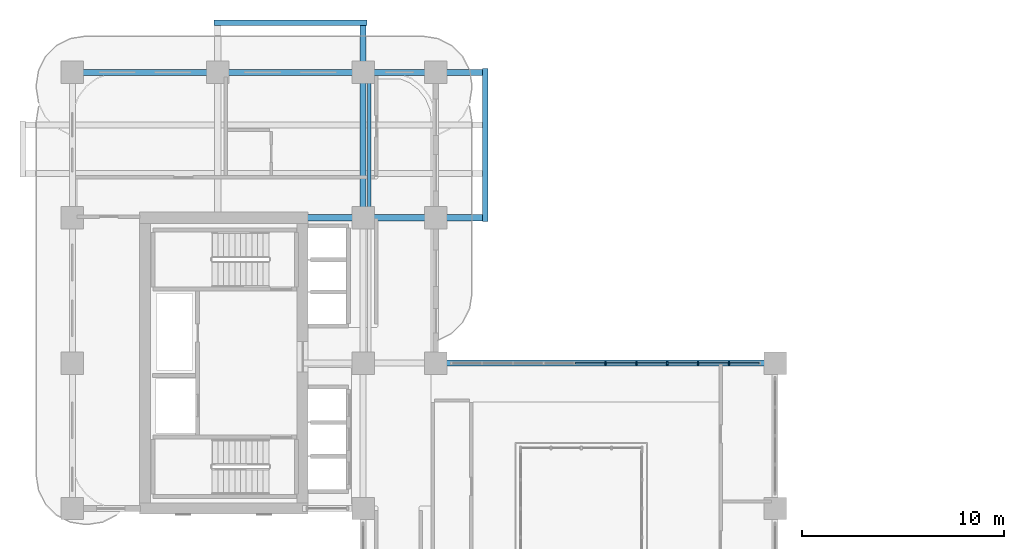
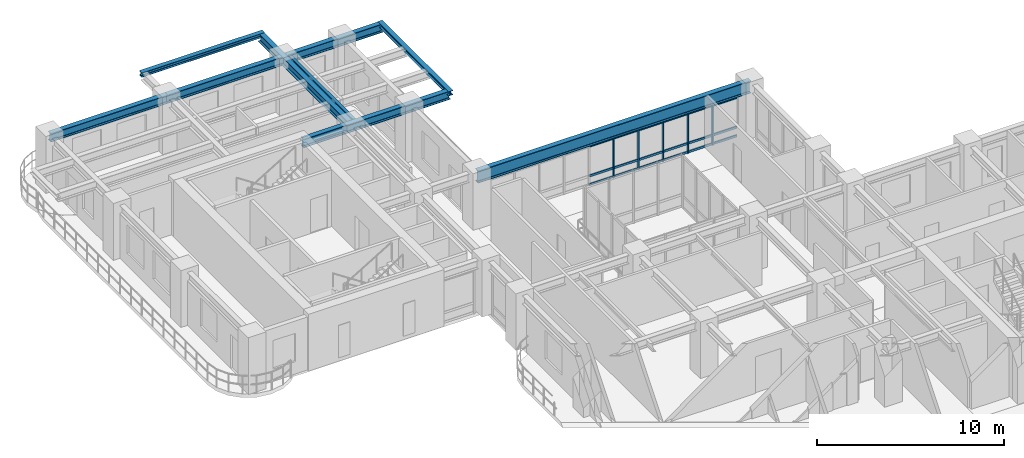
# One storey, part 7 of 22: 23 members, 8 beams, 1 element without a shape of its own.
"""IFC4 building model written with IfcOpenShell, lengths in metres."""

from ifc_helpers import new_model, si_unit, derived_unit, direction, frame, origin, origin_2d, place, context, subcontext, project, spatial, rectangle, i_section, extrude, source, transform, mapped, material, layer, layer_set, material_profile, profile_set, type_object, type_shapes, element, aggregate, save


model = new_model("IFC4")

# Units and contexts
model_context = context("Model", 3, precision=1e-05, world=origin(), true_north=direction((0.0, 1.0)))
body_context = subcontext(model_context, "Body", "Model", "MODEL_VIEW")
ifc_project = project(units=[si_unit("LENGTHUNIT", "METRE"), si_unit("AREAUNIT", "SQUARE_METRE"), si_unit("VOLUMEUNIT", "CUBIC_METRE"), si_unit("PLANEANGLEUNIT", "RADIAN"), si_unit("MASSUNIT", "GRAM", prefix="KILO"), si_unit("THERMODYNAMICTEMPERATUREUNIT", "KELVIN"), si_unit("POWERUNIT", "WATT"), derived_unit("THERMALTRANSMITTANCEUNIT", [(si_unit("POWERUNIT", "WATT"), 1), (si_unit("AREAUNIT", "SQUARE_METRE"), -1), (si_unit("THERMODYNAMICTEMPERATUREUNIT", "KELVIN"), -1)])], contexts=[model_context])

# Site, building, storey
site_placement = place(None, origin())
site = spatial("IfcSite", under=ifc_project, at=site_placement, CompositionType="ELEMENT")
building_placement = place(site_placement, origin())
building = spatial("IfcBuilding", under=site, at=building_placement, Name="Zahravan Archway Hotel and Residences", CompositionType="ELEMENT")
storey_placement = place(building_placement, frame((0.0, 0.0, 73.10009765625)))
storey = spatial("IfcBuildingStorey", under=building, at=storey_placement, Name="L17", CompositionType="ELEMENT", Elevation=73.10009765625)

# Beams
ifc_material_1 = material(Name="Structural Steel S355JR", Category="steel")
ifc_material_profile_1 = material_profile(ifc_material_1, i_section(OverallWidth=0.280029296875, OverallDepth=0.280029296875, WebThickness=0.010498046875, FlangeThickness=0.01806640625, FilletRadius=0.02392578125, at=origin_2d()), Name="HEB 280", Category="steel")
ifc_profile_set_1 = profile_set([ifc_material_profile_1], Name="Structural Steel S355JR")
beam_type_1 = type_object("IfcBeamType", Name="BM-SPN-HEB280", PredefinedType="SPANDREL", material=ifc_profile_set_1)
shared_shape_1 = source(origin(), body_context, "Body", "SweptSolid", [
    extrude(i_section(OverallWidth=0.280029296875, OverallDepth=0.280029296875, WebThickness=0.010498046875, FlangeThickness=0.01806640625, FilletRadius=0.02392578125, at=origin_2d()), origin(), (0.0, 0.0, 1.0), 7.56005859375),
])
type_shapes(beam_type_1, [shared_shape_1])
for number, where, z_axis, x_axis, name in (
    (1, (20.449951171875, 39.419921875, 3.309814453125), (0.0, 1.0, 0.0), (-1.0, 0.0, 0.0), "L18 EB Balcony Edge Spandrel"),
    (2, (7.02001953125, 49.25, 3.309814453125), (1.0, 0.0, 0.0), (0.0, 1.0, 0.0), "L18 NB Balcony Edge Spandrel"),
):
    element("IfcBeam", number, at=place(storey_placement, frame(where, z_axis=z_axis, x_axis=x_axis)), inside=storey, type_object=beam_type_1, Name=name, PredefinedType="SPANDREL", context=body_context, shape_type="MappedRepresentation", body=[
        mapped(shared_shape_1, transform((0.0, 0.0, 0.0), scale=1.0)),
    ])
ifc_material_profile_2 = material_profile(ifc_material_1, i_section(OverallWidth=0.300048828125, OverallDepth=0.550048828125, WebThickness=0.014892578125, FlangeThickness=0.029052734375, FilletRadius=0.027099609375, at=origin_2d()), Name="HEB 550", Category="steel")
ifc_profile_set_2 = profile_set([ifc_material_profile_2], Name="Structural Steel S355JR")
beam_type_2 = type_object("IfcBeamType", Name="BM-PRI-HEB550", PredefinedType="BEAM", material=ifc_profile_set_2)
shared_shape_2 = source(origin(), body_context, "Body", "SweptSolid", [
    extrude(i_section(OverallWidth=0.300048828125, OverallDepth=0.550048828125, WebThickness=0.014892578125, FlangeThickness=0.029052734375, FilletRadius=0.027099609375, at=origin_2d()), origin(), (0.0, 0.0, 1.0), 7.199951171875),
])
beam_1_placement = place(storey_placement, frame((0.0, 46.800048828125, 3.1748046875), z_axis=(1.0, 0.0, 0.0), x_axis=(0.0, 1.0, 0.0)))
element("IfcBeam", 3, at=beam_1_placement, inside=storey, type_object=beam_type_2, Name="L17 Primary Girder EW-24", PredefinedType="BEAM", context=body_context, shape_type="MappedRepresentation", body=[
    mapped(shared_shape_2, transform((0.0, 0.0, 0.0), scale=1.0)),
])
shared_shape_3 = source(origin(), body_context, "Body", "SweptSolid", [
    extrude(i_section(OverallWidth=0.300048828125, OverallDepth=0.550048828125, WebThickness=0.014892578125, FlangeThickness=0.029052734375, FilletRadius=0.027099609375, at=origin_2d()), origin(), (0.0, 0.0, 1.0), 9.050048828125),
])
beam_2_placement = place(storey_placement, frame((11.39990234375, 39.60009765625, 3.1748046875), z_axis=(1.0, 0.0, 0.0), x_axis=(0.0, 1.0, 0.0)))
element("IfcBeam", 4, at=beam_2_placement, inside=storey, type_object=beam_type_2, Name="L17 Primary Girder EW-23", PredefinedType="BEAM", context=body_context, shape_type="MappedRepresentation", body=[
    mapped(shared_shape_3, transform((0.0, 0.0, 0.0), scale=1.0)),
])
shared_shape_4 = source(origin(), body_context, "Body", "SweptSolid", [
    extrude(i_section(OverallWidth=0.300048828125, OverallDepth=0.550048828125, WebThickness=0.014892578125, FlangeThickness=0.029052734375, FilletRadius=0.027099609375, at=origin_2d()), origin(), (0.0, 0.0, 1.0), 13.25),
])
beam_3_placement = place(storey_placement, frame((7.199951171875, 46.800048828125, 3.1748046875), z_axis=(1.0, 0.0, 0.0), x_axis=(0.0, 1.0, 0.0)))
element("IfcBeam", 5, at=beam_3_placement, inside=storey, type_object=beam_type_2, Name="L17 Primary Girder EW-25", PredefinedType="BEAM", context=body_context, shape_type="MappedRepresentation", body=[
    mapped(shared_shape_4, transform((0.0, 0.0, 0.0), scale=1.0)),
])
shared_shape_5 = source(origin(), body_context, "Body", "SweptSolid", [
    extrude(i_section(OverallWidth=0.300048828125, OverallDepth=0.550048828125, WebThickness=0.014892578125, FlangeThickness=0.029052734375, FilletRadius=0.027099609375, at=origin_2d()), origin(), (0.0, 0.0, 1.0), 9.64990234375),
])
beam_4_placement = place(storey_placement, frame((14.39990234375, 39.60009765625, 3.1748046875), z_axis=(0.0, 1.0, 0.0), x_axis=(-1.0, 0.0, 0.0)))
element("IfcBeam", 6, at=beam_4_placement, inside=storey, type_object=beam_type_2, Name="L17 Primary Girder NS-38", PredefinedType="BEAM", context=body_context, shape_type="MappedRepresentation", body=[
    mapped(shared_shape_5, transform((0.0, 0.0, 0.0), scale=1.0)),
])
ifc_material_2 = material(Name="Structural Steel S355J2", Category="steel")
ifc_material_profile_3 = material_profile(ifc_material_2, i_section(OverallWidth=0.300048828125, OverallDepth=0.800048828125, WebThickness=0.017578125, FlangeThickness=0.032958984375, FilletRadius=0.030029296875, at=origin_2d()), Name="HEB 800", Category="steel")
ifc_profile_set_3 = profile_set([ifc_material_profile_3], Name="Structural Steel S355J2")
beam_type_3 = type_object("IfcBeamType", Name="BM-PRI-HEB800", PredefinedType="BEAM", material=ifc_profile_set_3)
shared_shape_6 = source(origin(), body_context, "Body", "SweptSolid", [
    extrude(i_section(OverallWidth=0.300048828125, OverallDepth=0.800048828125, WebThickness=0.017578125, FlangeThickness=0.032958984375, FilletRadius=0.030029296875, at=origin_2d()), origin(), (0.0, 0.0, 1.0), 16.800048828125),
])
type_shapes(beam_type_3, [shared_shape_6])
beam_5_placement = place(storey_placement, frame((18.0, 32.39990234375, 3.0498046875), z_axis=(1.0, 0.0, 0.0), x_axis=(0.0, 1.0, 0.0)))
element("IfcBeam", 7, at=beam_5_placement, inside=storey, type_object=beam_type_3, Name="L17 Primary Girder EW-22", PredefinedType="BEAM", context=body_context, shape_type="MappedRepresentation", body=[
    mapped(shared_shape_6, transform((0.0, 0.0, 0.0), scale=1.0)),
])
ifc_material_profile_4 = material_profile(ifc_material_1, i_section(OverallWidth=0.169921875, OverallDepth=0.360107421875, WebThickness=0.008056640625, FlangeThickness=0.0126953125, FilletRadius=0.01806640625, at=origin_2d()), Name="IPE 360", Category="steel")
ifc_profile_set_4 = profile_set([ifc_material_profile_4], Name="Structural Steel S355JR")
beam_type_4 = type_object("IfcBeamType", Name="BM-JST-IPE360", PredefinedType="JOIST", material=ifc_profile_set_4)
shared_shape_7 = source(origin(), body_context, "Body", "SweptSolid", [
    extrude(i_section(OverallWidth=0.169921875, OverallDepth=0.360107421875, WebThickness=0.008056640625, FlangeThickness=0.0126953125, FilletRadius=0.01806640625, at=origin_2d()), origin(), (0.0, 0.0, 1.0), 6.904052734375),
])
type_shapes(beam_type_4, [shared_shape_7])
beam_6_placement = place(storey_placement, frame((14.699951171875, 39.748046875, 3.27001953125), z_axis=(0.0, 1.0, 0.0), x_axis=(-1.0, 0.0, 0.0)))
element("IfcBeam", 8, at=beam_6_placement, inside=storey, type_object=beam_type_4, Name="L17 Composite Floor Joist 14", PredefinedType="JOIST", context=body_context, shape_type="MappedRepresentation", body=[
    mapped(shared_shape_7, transform((0.0, 0.0, 0.0), scale=1.0)),
])

# Curtain wall, members
ifc_material_3 = material(Name="Bronze-Anodized Unitised Aluminium & Low-E Glass", Category="aluminium")
ifc_layer = layer(ifc_material_3, 0.179931640625, Name="Bronze-Anodized Unitised Aluminium & Low-E Glass", Category="aluminium")
ifc_layer_set = layer_set([ifc_layer], Name="Bronze-Anodized Unitised Aluminium & Low-E Glass")
curtain_wall_type = type_object("IfcCurtainWallType", Name="CW-ATR-GLAZ", PredefinedType="NOTDEFINED", material=ifc_layer_set)
curtain_wall_placement = place(storey_placement, origin())
curtain_wall = element("IfcCurtainWall", 9, at=curtain_wall_placement, inside=storey, type_object=curtain_wall_type, Name="L17 Curtain Wall CW-L17-HNG-N-1", PredefinedType="NOTDEFINED")
ifc_material_4 = material(Name="Bronze-Anodized Extruded Aluminium", Category="aluminium")
ifc_material_profile_5 = material_profile(ifc_material_4, rectangle(XDim=0.080078125, YDim=0.159912109375, at=origin_2d()), Name="MUL 80x160", Category="aluminium")
ifc_profile_set_5 = profile_set([ifc_material_profile_5], Name="Bronze-Anodized Extruded Aluminium")
member_type_1 = type_object("IfcMemberType", Name="CWM-MUL-160", PredefinedType="MULLION", material=ifc_profile_set_5)
shared_shape_8 = source(origin(), body_context, "Body", "SweptSolid", [
    extrude(rectangle(XDim=0.080078125, YDim=0.159912109375, at=origin_2d()), origin(), (0.0, 0.0, 1.0), 2.635009765625),
])
member_1_placement = place(storey_placement, frame((26.39990234375, 32.39990234375, 0.0), z_axis=(0.0, 0.0, 1.0), x_axis=(1.0, 0.0, 0.0)))
member_1 = element("IfcMember", 10, at=member_1_placement, type_object=member_type_1, Name="CW-L17-HNG-N-1 Mullion 5", PredefinedType="MULLION", context=body_context, shape_type="MappedRepresentation", body=[
    mapped(shared_shape_8, transform((0.0, 0.0, 0.0), scale=1.0)),
])
member_2_placement = place(storey_placement, frame((27.927978515625, 32.39990234375, 0.0), z_axis=(0.0, 0.0, 1.0), x_axis=(1.0, 0.0, 0.0)))
member_2 = element("IfcMember", 11, at=member_2_placement, type_object=member_type_1, Name="CW-L17-HNG-N-1 Mullion 6", PredefinedType="MULLION", context=body_context, shape_type="MappedRepresentation", body=[
    mapped(shared_shape_8, transform((0.0, 0.0, 0.0), scale=1.0)),
])
member_3_placement = place(storey_placement, frame((29.4560546875, 32.39990234375, 0.0), z_axis=(0.0, 0.0, 1.0), x_axis=(1.0, 0.0, 0.0)))
member_3 = element("IfcMember", 12, at=member_3_placement, type_object=member_type_1, Name="CW-L17-HNG-N-1 Mullion 7", PredefinedType="MULLION", context=body_context, shape_type="MappedRepresentation", body=[
    mapped(shared_shape_8, transform((0.0, 0.0, 0.0), scale=1.0)),
])
member_4_placement = place(storey_placement, frame((30.98388671875, 32.39990234375, 0.0), z_axis=(0.0, 0.0, 1.0), x_axis=(1.0, 0.0, 0.0)))
member_4 = element("IfcMember", 13, at=member_4_placement, type_object=member_type_1, Name="CW-L17-HNG-N-1 Mullion 8", PredefinedType="MULLION", context=body_context, shape_type="MappedRepresentation", body=[
    mapped(shared_shape_8, transform((0.0, 0.0, 0.0), scale=1.0)),
])
member_5_placement = place(storey_placement, frame((32.511962890625, 32.39990234375, 0.0), z_axis=(0.0, 0.0, 1.0), x_axis=(1.0, 0.0, 0.0)))
member_5 = element("IfcMember", 14, at=member_5_placement, type_object=member_type_1, Name="CW-L17-HNG-N-1 Mullion 9", PredefinedType="MULLION", context=body_context, shape_type="MappedRepresentation", body=[
    mapped(shared_shape_8, transform((0.0, 0.0, 0.0), scale=1.0)),
])
ifc_material_profile_6 = material_profile(ifc_material_4, rectangle(XDim=0.080078125, YDim=0.139892578125, at=origin_2d()), Name="TRN 80x140", Category="aluminium")
ifc_profile_set_6 = profile_set([ifc_material_profile_6], Name="Bronze-Anodized Extruded Aluminium")
member_type_2 = type_object("IfcMemberType", Name="CWM-TRN-140", PredefinedType="USERDEFINED", material=ifc_profile_set_6)
shared_shape_9 = source(origin(), body_context, "Body", "SweptSolid", [
    extrude(rectangle(XDim=0.080078125, YDim=0.139892578125, at=origin_2d()), origin(), (0.0, 0.0, 1.0), 1.447998046875),
])
member_6_placement = place(storey_placement, frame((24.912109375, 32.39990234375, 0.06982421875), z_axis=(1.0, 0.0, 0.0), x_axis=(0.0, 1.0, 0.0)))
member_6 = element("IfcMember", 15, at=member_6_placement, type_object=member_type_2, Name="CW-L17-HNG-N-1 Transom 4-1", ObjectType="TRANSOM", PredefinedType="USERDEFINED", context=body_context, shape_type="MappedRepresentation", body=[
    mapped(shared_shape_9, transform((0.0, 0.0, 0.0), scale=1.0)),
])
member_7_placement = place(storey_placement, frame((24.912109375, 32.39990234375, 0.63232421875), z_axis=(1.0, 0.0, 0.0), x_axis=(0.0, 1.0, 0.0)))
member_7 = element("IfcMember", 16, at=member_7_placement, type_object=member_type_2, Name="CW-L17-HNG-N-1 Transom 4-2", ObjectType="TRANSOM", PredefinedType="USERDEFINED", context=body_context, shape_type="MappedRepresentation", body=[
    mapped(shared_shape_9, transform((0.0, 0.0, 0.0), scale=1.0)),
])
member_8_placement = place(storey_placement, frame((24.912109375, 32.39990234375, 2.56494140625), z_axis=(1.0, 0.0, 0.0), x_axis=(0.0, 1.0, 0.0)))
member_8 = element("IfcMember", 17, at=member_8_placement, type_object=member_type_2, Name="CW-L17-HNG-N-1 Transom 4-3", ObjectType="TRANSOM", PredefinedType="USERDEFINED", context=body_context, shape_type="MappedRepresentation", body=[
    mapped(shared_shape_9, transform((0.0, 0.0, 0.0), scale=1.0)),
])
member_9_placement = place(storey_placement, frame((26.43994140625, 32.39990234375, 0.06982421875), z_axis=(1.0, 0.0, 0.0), x_axis=(0.0, 1.0, 0.0)))
member_9 = element("IfcMember", 18, at=member_9_placement, type_object=member_type_2, Name="CW-L17-HNG-N-1 Transom 5-1", ObjectType="TRANSOM", PredefinedType="USERDEFINED", context=body_context, shape_type="MappedRepresentation", body=[
    mapped(shared_shape_9, transform((0.0, 0.0, 0.0), scale=1.0)),
])
member_10_placement = place(storey_placement, frame((26.43994140625, 32.39990234375, 0.63232421875), z_axis=(1.0, 0.0, 0.0), x_axis=(0.0, 1.0, 0.0)))
member_10 = element("IfcMember", 19, at=member_10_placement, type_object=member_type_2, Name="CW-L17-HNG-N-1 Transom 5-2", ObjectType="TRANSOM", PredefinedType="USERDEFINED", context=body_context, shape_type="MappedRepresentation", body=[
    mapped(shared_shape_9, transform((0.0, 0.0, 0.0), scale=1.0)),
])
member_11_placement = place(storey_placement, frame((26.43994140625, 32.39990234375, 2.56494140625), z_axis=(1.0, 0.0, 0.0), x_axis=(0.0, 1.0, 0.0)))
member_11 = element("IfcMember", 20, at=member_11_placement, type_object=member_type_2, Name="CW-L17-HNG-N-1 Transom 5-3", ObjectType="TRANSOM", PredefinedType="USERDEFINED", context=body_context, shape_type="MappedRepresentation", body=[
    mapped(shared_shape_9, transform((0.0, 0.0, 0.0), scale=1.0)),
])
member_12_placement = place(storey_placement, frame((27.968017578125, 32.39990234375, 0.06982421875), z_axis=(1.0, 0.0, 0.0), x_axis=(0.0, 1.0, 0.0)))
member_12 = element("IfcMember", 21, at=member_12_placement, type_object=member_type_2, Name="CW-L17-HNG-N-1 Transom 6-1", ObjectType="TRANSOM", PredefinedType="USERDEFINED", context=body_context, shape_type="MappedRepresentation", body=[
    mapped(shared_shape_9, transform((0.0, 0.0, 0.0), scale=1.0)),
])
member_13_placement = place(storey_placement, frame((27.968017578125, 32.39990234375, 0.63232421875), z_axis=(1.0, 0.0, 0.0), x_axis=(0.0, 1.0, 0.0)))
member_13 = element("IfcMember", 22, at=member_13_placement, type_object=member_type_2, Name="CW-L17-HNG-N-1 Transom 6-2", ObjectType="TRANSOM", PredefinedType="USERDEFINED", context=body_context, shape_type="MappedRepresentation", body=[
    mapped(shared_shape_9, transform((0.0, 0.0, 0.0), scale=1.0)),
])
member_14_placement = place(storey_placement, frame((27.968017578125, 32.39990234375, 2.56494140625), z_axis=(1.0, 0.0, 0.0), x_axis=(0.0, 1.0, 0.0)))
member_14 = element("IfcMember", 23, at=member_14_placement, type_object=member_type_2, Name="CW-L17-HNG-N-1 Transom 6-3", ObjectType="TRANSOM", PredefinedType="USERDEFINED", context=body_context, shape_type="MappedRepresentation", body=[
    mapped(shared_shape_9, transform((0.0, 0.0, 0.0), scale=1.0)),
])
member_15_placement = place(storey_placement, frame((29.49609375, 32.39990234375, 0.06982421875), z_axis=(1.0, 0.0, 0.0), x_axis=(0.0, 1.0, 0.0)))
member_15 = element("IfcMember", 24, at=member_15_placement, type_object=member_type_2, Name="CW-L17-HNG-N-1 Transom 7-1", ObjectType="TRANSOM", PredefinedType="USERDEFINED", context=body_context, shape_type="MappedRepresentation", body=[
    mapped(shared_shape_9, transform((0.0, 0.0, 0.0), scale=1.0)),
])
member_16_placement = place(storey_placement, frame((29.49609375, 32.39990234375, 0.63232421875), z_axis=(1.0, 0.0, 0.0), x_axis=(0.0, 1.0, 0.0)))
member_16 = element("IfcMember", 25, at=member_16_placement, type_object=member_type_2, Name="CW-L17-HNG-N-1 Transom 7-2", ObjectType="TRANSOM", PredefinedType="USERDEFINED", context=body_context, shape_type="MappedRepresentation", body=[
    mapped(shared_shape_9, transform((0.0, 0.0, 0.0), scale=1.0)),
])
member_17_placement = place(storey_placement, frame((29.49609375, 32.39990234375, 2.56494140625), z_axis=(1.0, 0.0, 0.0), x_axis=(0.0, 1.0, 0.0)))
member_17 = element("IfcMember", 26, at=member_17_placement, type_object=member_type_2, Name="CW-L17-HNG-N-1 Transom 7-3", ObjectType="TRANSOM", PredefinedType="USERDEFINED", context=body_context, shape_type="MappedRepresentation", body=[
    mapped(shared_shape_9, transform((0.0, 0.0, 0.0), scale=1.0)),
])
member_18_placement = place(storey_placement, frame((31.02392578125, 32.39990234375, 0.06982421875), z_axis=(1.0, 0.0, 0.0), x_axis=(0.0, 1.0, 0.0)))
member_18 = element("IfcMember", 27, at=member_18_placement, type_object=member_type_2, Name="CW-L17-HNG-N-1 Transom 8-1", ObjectType="TRANSOM", PredefinedType="USERDEFINED", context=body_context, shape_type="MappedRepresentation", body=[
    mapped(shared_shape_9, transform((0.0, 0.0, 0.0), scale=1.0)),
])
member_19_placement = place(storey_placement, frame((31.02392578125, 32.39990234375, 0.63232421875), z_axis=(1.0, 0.0, 0.0), x_axis=(0.0, 1.0, 0.0)))
member_19 = element("IfcMember", 28, at=member_19_placement, type_object=member_type_2, Name="CW-L17-HNG-N-1 Transom 8-2", ObjectType="TRANSOM", PredefinedType="USERDEFINED", context=body_context, shape_type="MappedRepresentation", body=[
    mapped(shared_shape_9, transform((0.0, 0.0, 0.0), scale=1.0)),
])
member_20_placement = place(storey_placement, frame((31.02392578125, 32.39990234375, 2.56494140625), z_axis=(1.0, 0.0, 0.0), x_axis=(0.0, 1.0, 0.0)))
member_20 = element("IfcMember", 29, at=member_20_placement, type_object=member_type_2, Name="CW-L17-HNG-N-1 Transom 8-3", ObjectType="TRANSOM", PredefinedType="USERDEFINED", context=body_context, shape_type="MappedRepresentation", body=[
    mapped(shared_shape_9, transform((0.0, 0.0, 0.0), scale=1.0)),
])
member_21_placement = place(storey_placement, frame((32.552001953125, 32.39990234375, 0.06982421875), z_axis=(1.0, 0.0, 0.0), x_axis=(0.0, 1.0, 0.0)))
member_21 = element("IfcMember", 30, at=member_21_placement, type_object=member_type_2, Name="CW-L17-HNG-N-1 Transom 9-1", ObjectType="TRANSOM", PredefinedType="USERDEFINED", context=body_context, shape_type="MappedRepresentation", body=[
    mapped(shared_shape_9, transform((0.0, 0.0, 0.0), scale=1.0)),
])
member_22_placement = place(storey_placement, frame((32.552001953125, 32.39990234375, 0.63232421875), z_axis=(1.0, 0.0, 0.0), x_axis=(0.0, 1.0, 0.0)))
member_22 = element("IfcMember", 31, at=member_22_placement, type_object=member_type_2, Name="CW-L17-HNG-N-1 Transom 9-2", ObjectType="TRANSOM", PredefinedType="USERDEFINED", context=body_context, shape_type="MappedRepresentation", body=[
    mapped(shared_shape_9, transform((0.0, 0.0, 0.0), scale=1.0)),
])
member_23_placement = place(storey_placement, frame((32.552001953125, 32.39990234375, 2.56494140625), z_axis=(1.0, 0.0, 0.0), x_axis=(0.0, 1.0, 0.0)))
member_23 = element("IfcMember", 32, at=member_23_placement, type_object=member_type_2, Name="CW-L17-HNG-N-1 Transom 9-3", ObjectType="TRANSOM", PredefinedType="USERDEFINED", context=body_context, shape_type="MappedRepresentation", body=[
    mapped(shared_shape_9, transform((0.0, 0.0, 0.0), scale=1.0)),
])
aggregate(curtain_wall, [member_1, member_2, member_3, member_4, member_5, member_6, member_7, member_8, member_9, member_10, member_11, member_12, member_13, member_14, member_15, member_16, member_17, member_18, member_19, member_20, member_21, member_22, member_23])

save(model, "model.ifc")
